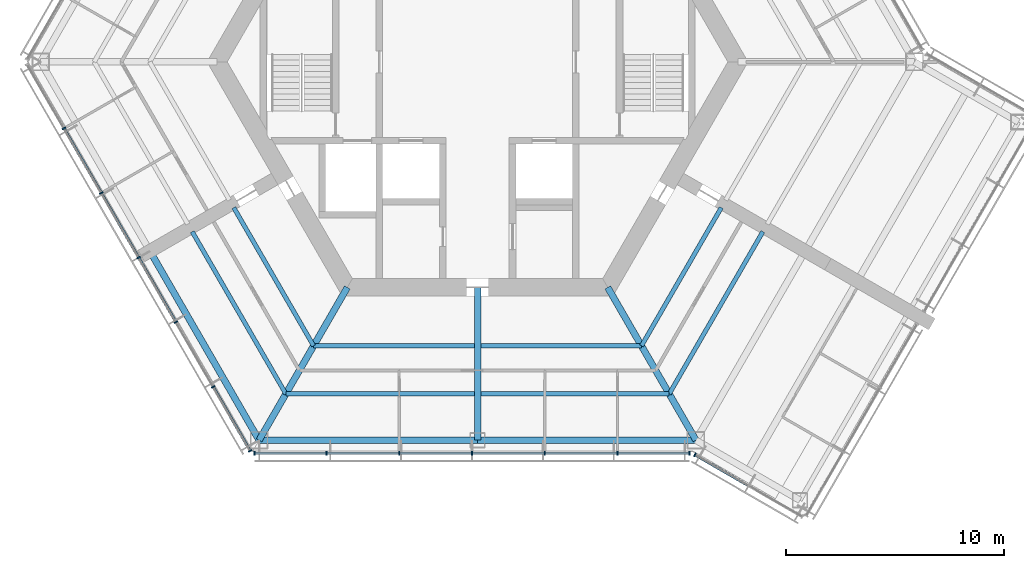
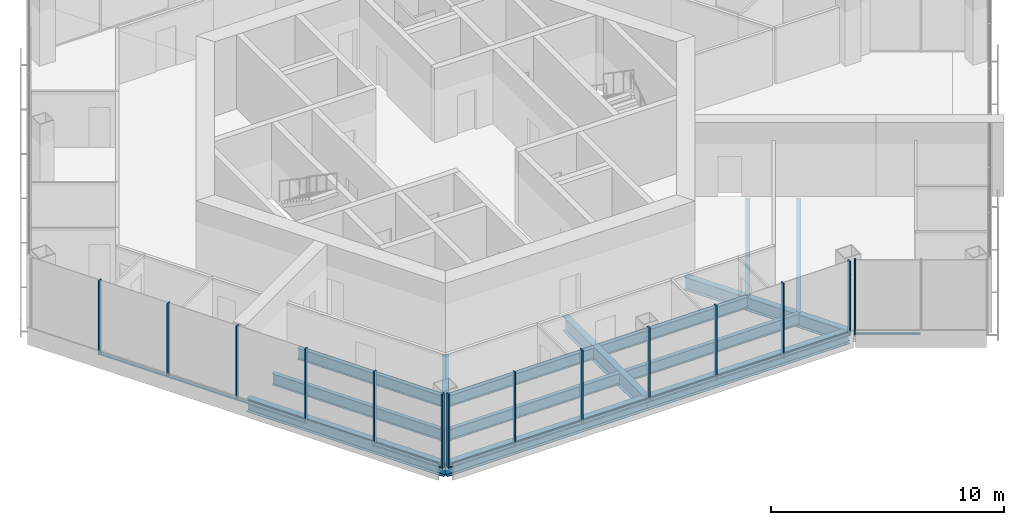
# One storey, part 2 of 13: 25 members, 14 beams, 3 elements without a shape of their own.
"""IFC4 building model written with IfcOpenShell, lengths in metres."""

from ifc_helpers import new_model, si_unit, direction, frame, origin, origin_2d, place, context, subcontext, project, spatial, rectangle, i_section, extrude, material, material_profile, profile_set, type_object, element, aggregate, save


model = new_model("IFC4")

# Units and contexts
model_context = context("Model", 3, precision=1e-05, world=origin(), true_north=direction((0.0, 1.0)))
body_context = subcontext(model_context, "Body", "Model", "MODEL_VIEW")
ifc_project = project(units=[si_unit("LENGTHUNIT", "METRE"), si_unit("AREAUNIT", "SQUARE_METRE"), si_unit("VOLUMEUNIT", "CUBIC_METRE"), si_unit("PLANEANGLEUNIT", "RADIAN"), si_unit("MASSUNIT", "GRAM", prefix="KILO")], contexts=[model_context])

# Site, building, storey
site_placement = place(None, origin())
site = spatial("IfcSite", under=ifc_project, at=site_placement, CompositionType="ELEMENT")
building_placement = place(site_placement, origin())
building = spatial("IfcBuilding", under=site, at=building_placement, Name="Kasaneha Research Tower", CompositionType="ELEMENT")
storey_placement = place(building_placement, frame((0.0, 0.0, 290.800048828125)))
storey = spatial("IfcBuildingStorey", under=building, at=storey_placement, Name="L73", CompositionType="ELEMENT", Elevation=290.800048828125)

# Beams
ifc_material_1 = material(Name="Steel SN490B", Category="steel")
ifc_material_profile_1 = material_profile(ifc_material_1, i_section(OverallWidth=0.199951171875, OverallDepth=0.60009765625, WebThickness=0.010986328125, FlangeThickness=0.01708984375, FilletRadius=0.012939453125, at=origin_2d()), Name="H-600x200x11x17")
ifc_profile_set_1 = profile_set([ifc_material_profile_1], Name="Steel SN490B")
beam_type_1 = type_object("IfcBeamType", Name="B1-3 secondary beam H-600x200x11x17", PredefinedType="JOIST", material=ifc_profile_set_1)
beam_1_placement = place(storey_placement, frame((-7.505615234375, -13.0, -0.449951171875), z_axis=(-0.499999192304, 0.866025870108, 0.0), x_axis=(-0.866025870108, -0.499999192304, 0.0)))
element("IfcBeam", 1, at=beam_1_placement, inside=storey, type_object=beam_type_1, Name="Secondary beam RS210R1 L73", PredefinedType="JOIST", context=body_context, shape_type="SweptSolid", body=[
    extrude(i_section(OverallWidth=0.199951171875, OverallDepth=0.60009765625, WebThickness=0.010986328125, FlangeThickness=0.01708984375, FilletRadius=0.012939453125, at=origin_2d()), origin(), (0.0, 0.0, 1.0), 7.3056640625),
])
beam_2_placement = place(storey_placement, frame((-8.775634765625, -15.199951171875, -0.449951171875), z_axis=(-0.500000102728, 0.866025344474, 0.0), x_axis=(-0.866025344474, -0.500000102728, 0.0)))
element("IfcBeam", 2, at=beam_2_placement, inside=storey, type_object=beam_type_1, Name="Secondary beam RS210R2 L73", PredefinedType="JOIST", context=body_context, shape_type="SweptSolid", body=[
    extrude(i_section(OverallWidth=0.199951171875, OverallDepth=0.60009765625, WebThickness=0.010986328125, FlangeThickness=0.01708984375, FilletRadius=0.012939453125, at=origin_2d()), origin(), (0.0, 0.0, 1.0), 8.57568359375),
])
beam_3_placement = place(storey_placement, frame((-7.505615234375, -13.0, -0.449951171875), z_axis=(1.0, 0.0, 0.0), x_axis=(0.0, 1.0, 0.0)))
element("IfcBeam", 3, at=beam_3_placement, inside=storey, type_object=beam_type_1, Name="Secondary beam RS270L1 L73", PredefinedType="JOIST", context=body_context, shape_type="SweptSolid", body=[
    extrude(i_section(OverallWidth=0.199951171875, OverallDepth=0.60009765625, WebThickness=0.010986328125, FlangeThickness=0.01708984375, FilletRadius=0.012939453125, at=origin_2d()), origin(), (0.0, 0.0, 1.0), 7.355712890625),
])
beam_4_placement = place(storey_placement, frame((-8.775634765625, -15.199951171875, -0.449951171875), z_axis=(1.0, 0.0, 0.0), x_axis=(0.0, 1.0, 0.0)))
element("IfcBeam", 4, at=beam_4_placement, inside=storey, type_object=beam_type_1, Name="Secondary beam RS270L2 L73", PredefinedType="JOIST", context=body_context, shape_type="SweptSolid", body=[
    extrude(i_section(OverallWidth=0.199951171875, OverallDepth=0.60009765625, WebThickness=0.010986328125, FlangeThickness=0.01708984375, FilletRadius=0.012939453125, at=origin_2d()), origin(), (0.0, 0.0, 1.0), 8.625732421875),
])
beam_5_placement = place(storey_placement, frame((7.505615234375, -13.0, -0.449951171875), z_axis=(-1.0, 0.0, 0.0), x_axis=(0.0, -1.0, 0.0)))
element("IfcBeam", 5, at=beam_5_placement, inside=storey, type_object=beam_type_1, Name="Secondary beam RS270R1 L73", PredefinedType="JOIST", context=body_context, shape_type="SweptSolid", body=[
    extrude(i_section(OverallWidth=0.199951171875, OverallDepth=0.60009765625, WebThickness=0.010986328125, FlangeThickness=0.01708984375, FilletRadius=0.012939453125, at=origin_2d()), origin(), (0.0, 0.0, 1.0), 7.355712890625),
])
beam_6_placement = place(storey_placement, frame((8.775634765625, -15.199951171875, -0.449951171875), z_axis=(-1.0, 0.0, 0.0), x_axis=(0.0, -1.0, 0.0)))
element("IfcBeam", 6, at=beam_6_placement, inside=storey, type_object=beam_type_1, Name="Secondary beam RS270R2 L73", PredefinedType="JOIST", context=body_context, shape_type="SweptSolid", body=[
    extrude(i_section(OverallWidth=0.199951171875, OverallDepth=0.60009765625, WebThickness=0.010986328125, FlangeThickness=0.01708984375, FilletRadius=0.012939453125, at=origin_2d()), origin(), (0.0, 0.0, 1.0), 8.625732421875),
])
beam_7_placement = place(storey_placement, frame((7.505615234375, -13.0, -0.449951171875), z_axis=(0.499999192304, 0.866025870108, 0.0), x_axis=(-0.866025870108, 0.499999192304, 0.0)))
element("IfcBeam", 7, at=beam_7_placement, inside=storey, type_object=beam_type_1, Name="Secondary beam RS330L1 L73", PredefinedType="JOIST", context=body_context, shape_type="SweptSolid", body=[
    extrude(i_section(OverallWidth=0.199951171875, OverallDepth=0.60009765625, WebThickness=0.010986328125, FlangeThickness=0.01708984375, FilletRadius=0.012939453125, at=origin_2d()), origin(), (0.0, 0.0, 1.0), 7.3056640625),
])
beam_8_placement = place(storey_placement, frame((8.775634765625, -15.199951171875, -0.449951171875), z_axis=(0.500000102728, 0.866025344474, 0.0), x_axis=(-0.866025344474, 0.500000102728, 0.0)))
element("IfcBeam", 8, at=beam_8_placement, inside=storey, type_object=beam_type_1, Name="Secondary beam RS330L2 L73", PredefinedType="JOIST", context=body_context, shape_type="SweptSolid", body=[
    extrude(i_section(OverallWidth=0.199951171875, OverallDepth=0.60009765625, WebThickness=0.010986328125, FlangeThickness=0.01708984375, FilletRadius=0.012939453125, at=origin_2d()), origin(), (0.0, 0.0, 1.0), 8.57568359375),
])

# Curtain wall, members
ifc_material_2 = material(Name="Glass and aluminium", Category="aluminium")
curtain_wall_type = type_object("IfcCurtainWallType", Name="Crown curtain wall", PredefinedType="USERDEFINED", material=ifc_material_2)
curtain_wall_1_placement = place(storey_placement, origin())
curtain_wall_1 = element("IfcCurtainWall", 9, at=curtain_wall_1_placement, inside=storey, type_object=curtain_wall_type, Name="CW-C L73 run 04a", ObjectType="UNITISED CURTAIN WALL", PredefinedType="USERDEFINED")
ifc_material_3 = material(Name="Aluminium 6063-T6", Category="aluminium")
ifc_material_profile_2 = material_profile(ifc_material_3, rectangle(XDim=0.06005859375, YDim=0.179931640625, at=origin_2d()), Name="CW-C mullion 60x180")
ifc_profile_set_2 = profile_set([ifc_material_profile_2], Name="Aluminium 6063-T6")
member_type_1 = type_object("IfcMemberType", Name="CW-C mullion", PredefinedType="MULLION", material=ifc_profile_set_2)
member_1_placement = place(storey_placement, frame((-18.93505859375, -3.04443359375, 0.0), z_axis=(0.0, 0.0, 1.0), x_axis=(0.499999995722, -0.866025406254, 0.0)))
member_1 = element("IfcMember", 10, at=member_1_placement, type_object=member_type_1, Name="CW-C mullion 2", PredefinedType="MULLION", context=body_context, shape_type="SweptSolid", body=[
    extrude(rectangle(XDim=0.06005859375, YDim=0.179931640625, at=origin_2d()), origin(), (0.0, 0.0, 1.0), 3.89990234375),
])
member_2_placement = place(storey_placement, frame((-17.227294921875, -6.00244140625, 0.0), z_axis=(0.0, 0.0, 1.0), x_axis=(0.499999995722, -0.866025406254, 0.0)))
member_2 = element("IfcMember", 11, at=member_2_placement, type_object=member_type_1, Name="CW-C mullion 3", PredefinedType="MULLION", context=body_context, shape_type="SweptSolid", body=[
    extrude(rectangle(XDim=0.06005859375, YDim=0.179931640625, at=origin_2d()), origin(), (0.0, 0.0, 1.0), 3.89990234375),
])
member_3_placement = place(storey_placement, frame((-15.51953125, -8.960205078125, 0.0), z_axis=(0.0, 0.0, 1.0), x_axis=(0.499999995722, -0.866025406254, 0.0)))
member_3 = element("IfcMember", 12, at=member_3_placement, type_object=member_type_1, Name="CW-C mullion 4", PredefinedType="MULLION", context=body_context, shape_type="SweptSolid", body=[
    extrude(rectangle(XDim=0.06005859375, YDim=0.179931640625, at=origin_2d()), origin(), (0.0, 0.0, 1.0), 3.89990234375),
])
member_4_placement = place(storey_placement, frame((-13.811767578125, -11.918212890625, 0.0), z_axis=(0.0, 0.0, 1.0), x_axis=(0.499999995722, -0.866025406254, 0.0)))
member_4 = element("IfcMember", 13, at=member_4_placement, type_object=member_type_1, Name="CW-C mullion 5", PredefinedType="MULLION", context=body_context, shape_type="SweptSolid", body=[
    extrude(rectangle(XDim=0.06005859375, YDim=0.179931640625, at=origin_2d()), origin(), (0.0, 0.0, 1.0), 3.89990234375),
])
member_5_placement = place(storey_placement, frame((-12.104248046875, -14.8759765625, 0.0), z_axis=(0.0, 0.0, 1.0), x_axis=(0.499999995722, -0.866025406254, 0.0)))
member_5 = element("IfcMember", 14, at=member_5_placement, type_object=member_type_1, Name="CW-C mullion 6", PredefinedType="MULLION", context=body_context, shape_type="SweptSolid", body=[
    extrude(rectangle(XDim=0.06005859375, YDim=0.179931640625, at=origin_2d()), origin(), (0.0, 0.0, 1.0), 3.89990234375),
])
member_6_placement = place(storey_placement, frame((-10.411376953125, -17.807861328125, 0.0), z_axis=(0.0, 0.0, 1.0), x_axis=(0.499999995722, -0.866025406254, 0.0)))
member_6 = element("IfcMember", 15, at=member_6_placement, type_object=member_type_1, Name="CW-C mullion 7", PredefinedType="MULLION", context=body_context, shape_type="SweptSolid", body=[
    extrude(rectangle(XDim=0.06005859375, YDim=0.179931640625, at=origin_2d()), origin(), (0.0, 0.0, 1.0), 3.89990234375),
])

curtain_wall_2_placement = place(storey_placement, origin())
curtain_wall_2 = element("IfcCurtainWall", 16, at=curtain_wall_2_placement, inside=storey, type_object=curtain_wall_type, Name="CW-C L73 run 05a", ObjectType="UNITISED CURTAIN WALL", PredefinedType="USERDEFINED")
member_7_placement = place(storey_placement, frame((-10.21630859375, -17.92041015625, 0.0), z_axis=(0.0, 0.0, 1.0), x_axis=(1.0, 0.0, 0.0)))
member_7 = element("IfcMember", 17, at=member_7_placement, type_object=member_type_1, Name="CW-C mullion 1", PredefinedType="MULLION", context=body_context, shape_type="SweptSolid", body=[
    extrude(rectangle(XDim=0.06005859375, YDim=0.179931640625, at=origin_2d()), origin(), (0.0, 0.0, 1.0), 3.89990234375),
])
member_8_placement = place(storey_placement, frame((-6.91552734375, -17.92041015625, 0.0), z_axis=(0.0, 0.0, 1.0), x_axis=(1.0, 0.0, 0.0)))
member_8 = element("IfcMember", 18, at=member_8_placement, type_object=member_type_1, Name="CW-C mullion 2", PredefinedType="MULLION", context=body_context, shape_type="SweptSolid", body=[
    extrude(rectangle(XDim=0.06005859375, YDim=0.179931640625, at=origin_2d()), origin(), (0.0, 0.0, 1.0), 3.89990234375),
])
member_9_placement = place(storey_placement, frame((-3.58447265625, -17.92041015625, 0.0), z_axis=(0.0, 0.0, 1.0), x_axis=(1.0, 0.0, 0.0)))
member_9 = element("IfcMember", 19, at=member_9_placement, type_object=member_type_1, Name="CW-C mullion 3", PredefinedType="MULLION", context=body_context, shape_type="SweptSolid", body=[
    extrude(rectangle(XDim=0.06005859375, YDim=0.179931640625, at=origin_2d()), origin(), (0.0, 0.0, 1.0), 3.89990234375),
])
member_10_placement = place(storey_placement, frame((-0.253662109375, -17.92041015625, 0.0), z_axis=(0.0, 0.0, 1.0), x_axis=(1.0, 0.0, 0.0)))
member_10 = element("IfcMember", 20, at=member_10_placement, type_object=member_type_1, Name="CW-C mullion 4", PredefinedType="MULLION", context=body_context, shape_type="SweptSolid", body=[
    extrude(rectangle(XDim=0.06005859375, YDim=0.179931640625, at=origin_2d()), origin(), (0.0, 0.0, 1.0), 3.89990234375),
])
member_11_placement = place(storey_placement, frame((3.077392578125, -17.92041015625, 0.0), z_axis=(0.0, 0.0, 1.0), x_axis=(1.0, 0.0, 0.0)))
member_11 = element("IfcMember", 21, at=member_11_placement, type_object=member_type_1, Name="CW-C mullion 5", PredefinedType="MULLION", context=body_context, shape_type="SweptSolid", body=[
    extrude(rectangle(XDim=0.06005859375, YDim=0.179931640625, at=origin_2d()), origin(), (0.0, 0.0, 1.0), 3.89990234375),
])
member_12_placement = place(storey_placement, frame((6.408203125, -17.92041015625, 0.0), z_axis=(0.0, 0.0, 1.0), x_axis=(1.0, 0.0, 0.0)))
member_12 = element("IfcMember", 22, at=member_12_placement, type_object=member_type_1, Name="CW-C mullion 6", PredefinedType="MULLION", context=body_context, shape_type="SweptSolid", body=[
    extrude(rectangle(XDim=0.06005859375, YDim=0.179931640625, at=origin_2d()), origin(), (0.0, 0.0, 1.0), 3.89990234375),
])
member_13_placement = place(storey_placement, frame((9.709228515625, -17.92041015625, 0.0), z_axis=(0.0, 0.0, 1.0), x_axis=(1.0, 0.0, 0.0)))
member_13 = element("IfcMember", 23, at=member_13_placement, type_object=member_type_1, Name="CW-C mullion 7", PredefinedType="MULLION", context=body_context, shape_type="SweptSolid", body=[
    extrude(rectangle(XDim=0.06005859375, YDim=0.179931640625, at=origin_2d()), origin(), (0.0, 0.0, 1.0), 3.89990234375),
])

# Curtain wall, member
curtain_wall_3_placement = place(storey_placement, origin())
curtain_wall_3 = element("IfcCurtainWall", 24, at=curtain_wall_3_placement, inside=storey, type_object=curtain_wall_type, Name="CW-C L73 run 06a", ObjectType="UNITISED CURTAIN WALL", PredefinedType="USERDEFINED")
member_14_placement = place(storey_placement, frame((9.951904296875, -17.985595703125, 0.0), z_axis=(0.0, 0.0, 1.0), x_axis=(0.866025443395, -0.499999931393, 0.0)))
member_14 = element("IfcMember", 25, at=member_14_placement, type_object=member_type_1, Name="CW-C mullion 1", PredefinedType="MULLION", context=body_context, shape_type="SweptSolid", body=[
    extrude(rectangle(XDim=0.06005859375, YDim=0.179931640625, at=origin_2d()), origin(), (0.0, 0.0, 1.0), 3.89990234375),
])

# Member
ifc_material_4 = material(Name="Aluminium 6063-T6", Category="aluminium")
ifc_material_profile_3 = material_profile(ifc_material_4, rectangle(XDim=0.1298828125, YDim=0.06005859375, at=origin_2d()), Name="CW-C transom 130x60")
ifc_profile_set_3 = profile_set([ifc_material_profile_3], Name="Aluminium 6063-T6")
member_type_2 = type_object("IfcMemberType", Name="CW-C transom", PredefinedType="USERDEFINED", material=ifc_profile_set_3)
member_15_placement = place(storey_placement, frame((-18.920166015625, -3.070556640625, 0.030029296875), z_axis=(0.500020578564, -0.866013522419, 0.0), x_axis=(0.866013522419, 0.500020578564, 0.0)))
member_15 = element("IfcMember", 26, at=member_15_placement, type_object=member_type_2, Name="CW-C transom 2", ObjectType="TRANSOM", PredefinedType="USERDEFINED", context=body_context, shape_type="SweptSolid", body=[
    extrude(rectangle(XDim=0.1298828125, YDim=0.06005859375, at=origin_2d()), origin(), (0.0, 0.0, 1.0), 3.355224609375),
])

member_16_placement = place(storey_placement, frame((-17.21240234375, -6.0283203125, 0.030029296875), z_axis=(0.499989072476, -0.866031712701, 0.0), x_axis=(0.866031712701, 0.499989072476, 0.0)))
member_16 = element("IfcMember", 27, at=member_16_placement, type_object=member_type_2, Name="CW-C transom 3", ObjectType="TRANSOM", PredefinedType="USERDEFINED", context=body_context, shape_type="SweptSolid", body=[
    extrude(rectangle(XDim=0.1298828125, YDim=0.06005859375, at=origin_2d()), origin(), (0.0, 0.0, 1.0), 3.35546875),
])

member_17_placement = place(storey_placement, frame((-15.504638671875, -8.986328125, 0.030029296875), z_axis=(0.500020578564, -0.866013522419, 0.0), x_axis=(0.866013522419, 0.500020578564, 0.0)))
member_17 = element("IfcMember", 28, at=member_17_placement, type_object=member_type_2, Name="CW-C transom 4", ObjectType="TRANSOM", PredefinedType="USERDEFINED", context=body_context, shape_type="SweptSolid", body=[
    extrude(rectangle(XDim=0.1298828125, YDim=0.06005859375, at=origin_2d()), origin(), (0.0, 0.0, 1.0), 3.355224609375),
])

member_18_placement = place(storey_placement, frame((-12.089111328125, -14.902099609375, 0.030029296875), z_axis=(0.49997666526, -0.866038875684, 0.0), x_axis=(0.866038875684, 0.49997666526, 0.0)))
member_18 = element("IfcMember", 29, at=member_18_placement, type_object=member_type_2, Name="CW-C transom 6", ObjectType="TRANSOM", PredefinedType="USERDEFINED", context=body_context, shape_type="SweptSolid", body=[
    extrude(rectangle(XDim=0.1298828125, YDim=0.06005859375, at=origin_2d()), origin(), (0.0, 0.0, 1.0), 3.325439453125),
])

aggregate(curtain_wall_1, [member_1, member_2, member_3, member_4, member_5, member_6, member_15, member_16, member_17, member_18])

member_19_placement = place(storey_placement, frame((-10.1865234375, -17.92041015625, 0.030029296875), z_axis=(1.0, 0.0, 0.0), x_axis=(0.0, 1.0, 0.0)))
member_19 = element("IfcMember", 30, at=member_19_placement, type_object=member_type_2, Name="CW-C transom 1", ObjectType="TRANSOM", PredefinedType="USERDEFINED", context=body_context, shape_type="SweptSolid", body=[
    extrude(rectangle(XDim=0.1298828125, YDim=0.06005859375, at=origin_2d()), origin(), (0.0, 0.0, 1.0), 3.240966796875),
])

member_20_placement = place(storey_placement, frame((-6.885498046875, -17.92041015625, 0.030029296875), z_axis=(1.0, 0.0, 0.0), x_axis=(0.0, 1.0, 0.0)))
member_20 = element("IfcMember", 31, at=member_20_placement, type_object=member_type_2, Name="CW-C transom 2", ObjectType="TRANSOM", PredefinedType="USERDEFINED", context=body_context, shape_type="SweptSolid", body=[
    extrude(rectangle(XDim=0.1298828125, YDim=0.06005859375, at=origin_2d()), origin(), (0.0, 0.0, 1.0), 3.27099609375),
])

member_21_placement = place(storey_placement, frame((-3.554443359375, -17.92041015625, 0.030029296875), z_axis=(1.0, 0.0, 0.0), x_axis=(0.0, 1.0, 0.0)))
member_21 = element("IfcMember", 32, at=member_21_placement, type_object=member_type_2, Name="CW-C transom 3", ObjectType="TRANSOM", PredefinedType="USERDEFINED", context=body_context, shape_type="SweptSolid", body=[
    extrude(rectangle(XDim=0.1298828125, YDim=0.06005859375, at=origin_2d()), origin(), (0.0, 0.0, 1.0), 3.270751953125),
])

member_22_placement = place(storey_placement, frame((-0.2236328125, -17.92041015625, 0.030029296875), z_axis=(1.0, 0.0, 0.0), x_axis=(0.0, 1.0, 0.0)))
member_22 = element("IfcMember", 33, at=member_22_placement, type_object=member_type_2, Name="CW-C transom 4", ObjectType="TRANSOM", PredefinedType="USERDEFINED", context=body_context, shape_type="SweptSolid", body=[
    extrude(rectangle(XDim=0.1298828125, YDim=0.06005859375, at=origin_2d()), origin(), (0.0, 0.0, 1.0), 3.27099609375),
])

member_23_placement = place(storey_placement, frame((3.107421875, -17.92041015625, 0.030029296875), z_axis=(1.0, 0.0, 0.0), x_axis=(0.0, 1.0, 0.0)))
member_23 = element("IfcMember", 34, at=member_23_placement, type_object=member_type_2, Name="CW-C transom 5", ObjectType="TRANSOM", PredefinedType="USERDEFINED", context=body_context, shape_type="SweptSolid", body=[
    extrude(rectangle(XDim=0.1298828125, YDim=0.06005859375, at=origin_2d()), origin(), (0.0, 0.0, 1.0), 3.270751953125),
])

member_24_placement = place(storey_placement, frame((6.438232421875, -17.92041015625, 0.030029296875), z_axis=(1.0, 0.0, 0.0), x_axis=(0.0, 1.0, 0.0)))
member_24 = element("IfcMember", 35, at=member_24_placement, type_object=member_type_2, Name="CW-C transom 6", ObjectType="TRANSOM", PredefinedType="USERDEFINED", context=body_context, shape_type="SweptSolid", body=[
    extrude(rectangle(XDim=0.1298828125, YDim=0.06005859375, at=origin_2d()), origin(), (0.0, 0.0, 1.0), 3.240966796875),
])

aggregate(curtain_wall_2, [member_7, member_8, member_9, member_10, member_11, member_12, member_13, member_19, member_20, member_21, member_22, member_23, member_24])

member_25_placement = place(storey_placement, frame((9.977783203125, -18.00048828125, 0.030029296875), z_axis=(0.866012991964, -0.500021497287, 0.0), x_axis=(0.500021497287, 0.866012991964, 0.0)))
member_25 = element("IfcMember", 36, at=member_25_placement, type_object=member_type_2, Name="CW-C transom 1", ObjectType="TRANSOM", PredefinedType="USERDEFINED", context=body_context, shape_type="SweptSolid", body=[
    extrude(rectangle(XDim=0.1298828125, YDim=0.06005859375, at=origin_2d()), origin(), (0.0, 0.0, 1.0), 2.77978515625),
])

aggregate(curtain_wall_3, [member_14, member_25])

# Beams
ifc_material_5 = material(Name="Steel SN490B", Category="steel")
ifc_material_profile_4 = material_profile(ifc_material_5, i_section(OverallWidth=0.300048828125, OverallDepth=0.699951171875, WebThickness=0.012939453125, FlangeThickness=0.02392578125, FilletRadius=0.01806640625, at=origin_2d()), Name="H-700x300x13x24")
ifc_profile_set_4 = profile_set([ifc_material_profile_4], Name="Steel SN490B")
beam_type_2 = type_object("IfcBeamType", Name="G1-3 radial girder H-700x300x13x24", PredefinedType="BEAM", material=ifc_profile_set_4)
for number, where, z_axis, x_axis, name in (
    (37, (-5.961181640625, -10.324951171875, -0.5), (-0.49999105496, -0.866030568144, 0.0), (0.866030568144, -0.49999105496, 0.0), "Radial girder RV240 L73"),
    (38, (5.961181640625, -10.324951171875, -0.5), (0.49999105496, -0.866030568144, 0.0), (0.866030568144, 0.49999105496, 0.0), "Radial girder RV300 L73"),
):
    element("IfcBeam", number, at=place(storey_placement, frame(where, z_axis=z_axis, x_axis=x_axis)), inside=storey, type_object=beam_type_2, Name=name, PredefinedType="BEAM", context=body_context, shape_type="SweptSolid", body=[
        extrude(i_section(OverallWidth=0.300048828125, OverallDepth=0.699951171875, WebThickness=0.012939453125, FlangeThickness=0.02392578125, FilletRadius=0.01806640625, at=origin_2d()), origin(), (0.0, 0.0, 1.0), 8.077880859375),
    ])
ifc_material_6 = material(Name="Steel SN490B", Category="steel")
ifc_material_profile_5 = material_profile(ifc_material_6, i_section(OverallWidth=0.300048828125, OverallDepth=0.800048828125, WebThickness=0.013916015625, FlangeThickness=0.02587890625, FilletRadius=0.01806640625, at=origin_2d()), Name="H-800x300x14x26")
ifc_profile_set_5 = profile_set([ifc_material_profile_5], Name="Steel SN490B")
beam_type_3 = type_object("IfcBeamType", Name="G2-3 radial girder H-800x300x14x26", PredefinedType="BEAM", material=ifc_profile_set_5)
beam_9_placement = place(storey_placement, frame((0.0, -10.324951171875, -0.550048828125), z_axis=(0.0, -1.0, 0.0), x_axis=(1.0, 0.0, 0.0)))
element("IfcBeam", 39, at=beam_9_placement, inside=storey, type_object=beam_type_3, Name="Radial girder RM270 L73", PredefinedType="BEAM", context=body_context, shape_type="SweptSolid", body=[
    extrude(i_section(OverallWidth=0.300048828125, OverallDepth=0.800048828125, WebThickness=0.013916015625, FlangeThickness=0.02587890625, FilletRadius=0.01806640625, at=origin_2d()), origin(), (0.0, 0.0, 1.0), 6.99560546875),
])
ifc_material_7 = material(Name="Steel SN490B", Category="steel")
ifc_material_profile_6 = material_profile(ifc_material_7, i_section(OverallWidth=0.300048828125, OverallDepth=0.69189453125, WebThickness=0.012939453125, FlangeThickness=0.02001953125, FilletRadius=0.01806640625, at=origin_2d()), Name="H-692x300x13x20")
ifc_profile_set_6 = profile_set([ifc_material_profile_6], Name="Steel SN490B")
beam_type_4 = type_object("IfcBeamType", Name="G3-3 plate edge girder H-692x300x13x20", PredefinedType="BEAM", material=ifc_profile_set_6)
beam_10_placement = place(storey_placement, frame((-10.0, -17.320556640625, -0.49609375), z_axis=(-0.49999201416, 0.866030014362, 0.0), x_axis=(-0.866030014362, -0.49999201416, 0.0)))
element("IfcBeam", 40, at=beam_10_placement, inside=storey, type_object=beam_type_4, Name="Plate edge girder PEBN L73", PredefinedType="BEAM", context=body_context, shape_type="SweptSolid", body=[
    extrude(i_section(OverallWidth=0.300048828125, OverallDepth=0.69189453125, WebThickness=0.012939453125, FlangeThickness=0.02001953125, FilletRadius=0.01806640625, at=origin_2d()), origin(), (0.0, 0.0, 1.0), 9.800048828125),
])
ifc_material_8 = material(Name="Steel SN490B", Category="steel")
ifc_material_profile_7 = material_profile(ifc_material_8, i_section(OverallWidth=0.300048828125, OverallDepth=0.69189453125, WebThickness=0.012939453125, FlangeThickness=0.02001953125, FilletRadius=0.01806640625, at=origin_2d()), Name="H-692x300x13x20")
ifc_profile_set_7 = profile_set([ifc_material_profile_7], Name="Steel SN490B")
beam_type_5 = type_object("IfcBeamType", Name="SB1-3 spandrel beam H-692x300x13x20", PredefinedType="SPANDREL", material=ifc_profile_set_7)
for number, where, z_axis, x_axis, name in (
    (41, (-10.0, -17.320556640625, -0.49609375), (1.0, 0.0, 0.0), (0.0, 1.0, 0.0), "Spandrel beam SR270L L73"),
    (42, (10.0, -17.320556640625, -0.49609375), (-1.0, 0.0, 0.0), (0.0, -1.0, 0.0), "Spandrel beam SR270R L73"),
):
    element("IfcBeam", number, at=place(storey_placement, frame(where, z_axis=z_axis, x_axis=x_axis)), inside=storey, type_object=beam_type_5, Name=name, PredefinedType="SPANDREL", context=body_context, shape_type="SweptSolid", body=[
        extrude(i_section(OverallWidth=0.300048828125, OverallDepth=0.69189453125, WebThickness=0.012939453125, FlangeThickness=0.02001953125, FilletRadius=0.01806640625, at=origin_2d()), origin(), (0.0, 0.0, 1.0), 10.0),
    ])

save(model, "model.ifc")
